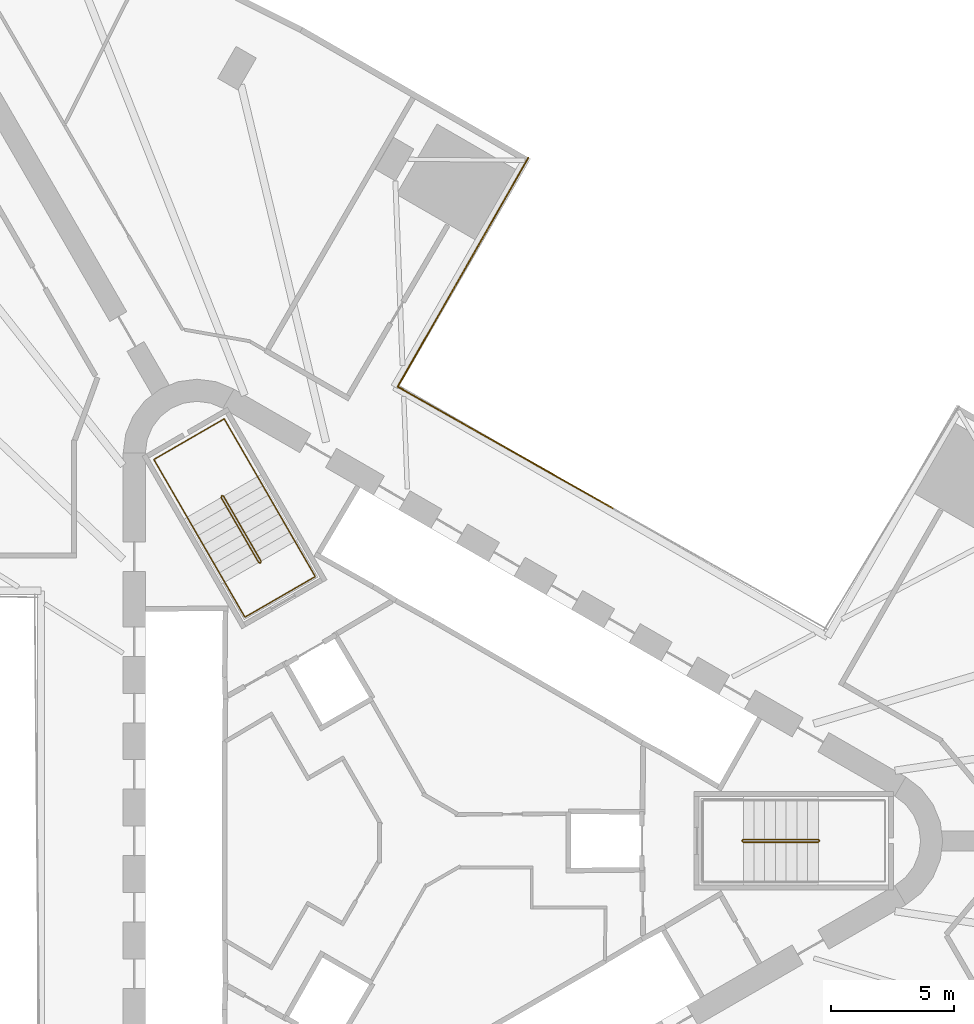
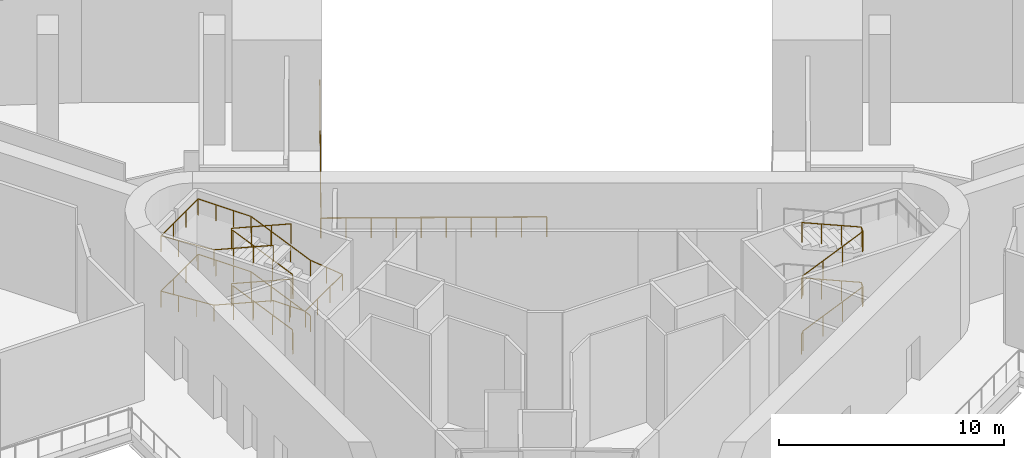
# One storey, part 10 of 11: 5 railings.
"""IFC4 building model written with IfcOpenShell, lengths in metres."""

from ifc_helpers import new_model, si_unit, direction, frame, origin, origin_2d, place, context, subcontext, project, spatial, circle, extrude, material, type_object, element, save


model = new_model("IFC4")

# Units and contexts
model_context = context("Model", 3, precision=1e-05, world=origin(), true_north=direction((0.0, 1.0)))
body_context = subcontext(model_context, "Body", "Model", "MODEL_VIEW")
ifc_project = project(units=[si_unit("LENGTHUNIT", "METRE"), si_unit("AREAUNIT", "SQUARE_METRE"), si_unit("VOLUMEUNIT", "CUBIC_METRE"), si_unit("PLANEANGLEUNIT", "RADIAN"), si_unit("MASSUNIT", "GRAM", prefix="KILO")], contexts=[model_context])

# Site, building, storey
site_placement = place(None, origin())
site = spatial("IfcSite", under=ifc_project, at=site_placement, CompositionType="ELEMENT")
building_placement = place(site_placement, origin())
building = spatial("IfcBuilding", under=site, at=building_placement, Name="Tanit Gate Tower", CompositionType="ELEMENT")
storey_placement = place(building_placement, frame((0.0, 0.0, 27.5)))
storey = spatial("IfcBuildingStorey", under=building, at=storey_placement, Name="L04", CompositionType="ELEMENT", Elevation=27.5)

# Railings
ifc_material_1 = material(Name="Stainless steel", Category="steel")
railing_type_1 = type_object("IfcRailingType", Name="Guard 1100 stainless steel balustrade", PredefinedType="GUARDRAIL", material=ifc_material_1)
railing_1_placement = place(storey_placement, frame((4.366943359375, 27.763916015625, 0.0)))
element("IfcRailing", 1, at=railing_1_placement, inside=storey, type_object=railing_type_1, Name="Tunnel edge guard L04 6", PredefinedType="GUARDRAIL", context=body_context, shape_type="SweptSolid", body=[
    extrude(circle(Radius=0.02392578125, at=origin_2d()), frame((0.0, 0.0, 1.076171875), z_axis=(-0.495702152138, -0.86849258855, 0.0), x_axis=(0.86849258855, -0.495702152138, 0.0)), (0.0, 0.0, 1.0), 10.716064453125),
    extrude(circle(Radius=0.02099609375, at=origin_2d()), origin(), (0.0, 0.0, 1.0), 1.052001953125),
    extrude(circle(Radius=0.02099609375, at=origin_2d()), frame((-0.59033203125, -1.0341796875, 0.0)), (0.0, 0.0, 1.0), 1.052001953125),
    extrude(circle(Radius=0.02099609375, at=origin_2d()), frame((-1.180419921875, -2.068115234375, 0.0)), (0.0, 0.0, 1.0), 1.052001953125),
    extrude(circle(Radius=0.02099609375, at=origin_2d()), frame((-1.770751953125, -3.102294921875, 0.0)), (0.0, 0.0, 1.0), 1.052001953125),
    extrude(circle(Radius=0.02099609375, at=origin_2d()), frame((-2.36083984375, -4.136474609375, 0.0)), (0.0, 0.0, 1.0), 1.052001953125),
    extrude(circle(Radius=0.02099609375, at=origin_2d()), frame((-2.951171875, -5.17041015625, 0.0)), (0.0, 0.0, 1.0), 1.052001953125),
    extrude(circle(Radius=0.02099609375, at=origin_2d()), frame((-3.541259765625, -6.20458984375, 0.0)), (0.0, 0.0, 1.0), 1.052001953125),
    extrude(circle(Radius=0.02099609375, at=origin_2d()), frame((-4.131591796875, -7.23876953125, 0.0)), (0.0, 0.0, 1.0), 1.052001953125),
    extrude(circle(Radius=0.02099609375, at=origin_2d()), frame((-4.7216796875, -8.272705078125, 0.0)), (0.0, 0.0, 1.0), 1.052001953125),
    extrude(circle(Radius=0.02099609375, at=origin_2d()), frame((-5.31201171875, -9.306884765625, 0.0)), (0.0, 0.0, 1.0), 1.052001953125),
])
railing_2_placement = place(storey_placement, frame((-0.945068359375, 18.45703125, 0.0)))
element("IfcRailing", 2, at=railing_2_placement, inside=storey, type_object=railing_type_1, Name="Tunnel edge guard L04 6", PredefinedType="GUARDRAIL", context=body_context, shape_type="SweptSolid", body=[
    extrude(circle(Radius=0.02392578125, at=origin_2d()), frame((0.0, 0.0, 1.076171875), z_axis=(0.870687554571, -0.491836540239, 0.0), x_axis=(0.491836540239, 0.870687554571, 0.0)), (0.0, 0.0, 1.0), 10.02392578125),
    extrude(circle(Radius=0.02099609375, at=origin_2d()), origin(), (0.0, 0.0, 1.0), 1.052001953125),
    extrude(circle(Radius=0.02099609375, at=origin_2d()), frame((0.9697265625, -0.5478515625, 0.0)), (0.0, 0.0, 1.0), 1.052001953125),
    extrude(circle(Radius=0.02099609375, at=origin_2d()), frame((1.939453125, -1.095703125, 0.0)), (0.0, 0.0, 1.0), 1.052001953125),
    extrude(circle(Radius=0.02099609375, at=origin_2d()), frame((2.9091796875, -1.643310546875, 0.0)), (0.0, 0.0, 1.0), 1.052001953125),
    extrude(circle(Radius=0.02099609375, at=origin_2d()), frame((3.87890625, -2.191162109375, 0.0)), (0.0, 0.0, 1.0), 1.052001953125),
    extrude(circle(Radius=0.02099609375, at=origin_2d()), frame((4.848876953125, -2.739013671875, 0.0)), (0.0, 0.0, 1.0), 1.052001953125),
    extrude(circle(Radius=0.02099609375, at=origin_2d()), frame((5.818603515625, -3.286865234375, 0.0)), (0.0, 0.0, 1.0), 1.052001953125),
    extrude(circle(Radius=0.02099609375, at=origin_2d()), frame((6.788330078125, -3.83447265625, 0.0)), (0.0, 0.0, 1.0), 1.052001953125),
    extrude(circle(Radius=0.02099609375, at=origin_2d()), frame((7.758056640625, -4.38232421875, 0.0)), (0.0, 0.0, 1.0), 1.052001953125),
    extrude(circle(Radius=0.02099609375, at=origin_2d()), frame((8.727783203125, -4.93017578125, 0.0)), (0.0, 0.0, 1.0), 1.052001953125),
])
ifc_material_2 = material(Name="Stainless steel balustrade", Category="steel")
railing_type_2 = type_object("IfcRailingType", Name="INT-STAIR-GUARD", PredefinedType="GUARDRAIL", material=ifc_material_2)
railing_3_placement = place(storey_placement, frame((13.044921875, 0.0048828125, 0.0)))
element("IfcRailing", 3, at=railing_3_placement, inside=storey, type_object=railing_type_2, Name="L04 S1 stair guard 1", PredefinedType="GUARDRAIL", context=body_context, shape_type="SweptSolid", body=[
    extrude(circle(Radius=0.02392578125, at=origin_2d()), frame((0.0, 0.0, 1.076171875), z_axis=(0.0, -1.0, 0.0), x_axis=(1.0, 0.0, 0.0)), (0.0, 0.0, 1.0), 0.009765625),
    extrude(circle(Radius=0.02392578125, at=origin_2d()), frame((0.0, -0.009765625, 1.076171875), z_axis=(0.249726431254, -0.249726431254, 0.935560483917), x_axis=(0.707106781187, 0.707106781187, 0.0)), (0.0, 0.0, 1.0), 0.200439453125),
    extrude(circle(Radius=0.02392578125, at=origin_2d()), frame((0.050048828125, -0.059814453125, 1.263671875), z_axis=(0.918608089886, 0.0, 0.395169808052), x_axis=(0.0, 1.0, 0.0)), (0.0, 0.0, 1.0), 3.3212890625),
    extrude(circle(Radius=0.02392578125, at=origin_2d()), frame((3.10107421875, -0.059814453125, 2.576171875), z_axis=(0.707106781187, 0.707106781187, 0.0), x_axis=(-0.707106781187, 0.707106781187, 0.0)), (0.0, 0.0, 1.0), 0.07080078125),
    extrude(circle(Radius=0.02392578125, at=origin_2d()), frame((3.151123046875, -0.009765625, 2.576171875), z_axis=(0.0, 1.0, 0.0), x_axis=(-1.0, 0.0, 0.0)), (0.0, 0.0, 1.0), 0.009765625),
    extrude(circle(Radius=0.02392578125, at=origin_2d()), frame((3.151123046875, 0.0, 2.576171875), z_axis=(-0.249726431254, 0.249726431254, 0.935560483917), x_axis=(-0.707106781187, -0.707106781187, 0.0)), (0.0, 0.0, 1.0), 0.200439453125),
    extrude(circle(Radius=0.02392578125, at=origin_2d()), frame((3.10107421875, 0.050048828125, 2.763671875), z_axis=(-0.918608089886, 0.0, 0.395169808052), x_axis=(0.0, -1.0, 0.0)), (0.0, 0.0, 1.0), 3.3212890625),
    extrude(circle(Radius=0.02392578125, at=origin_2d()), frame((0.050048828125, 0.050048828125, 4.076171875), z_axis=(-0.707106781187, -0.707106781187, 0.0), x_axis=(0.707106781187, -0.707106781187, 0.0)), (0.0, 0.0, 1.0), 0.07080078125),
    extrude(circle(Radius=0.02392578125, at=origin_2d()), frame((0.0, 0.0, 4.076171875), z_axis=(0.0, -1.0, 0.0), x_axis=(1.0, 0.0, 0.0)), (0.0, 0.0, 1.0), 0.009765625),
    extrude(circle(Radius=0.02392578125, at=origin_2d()), frame((0.0, -0.009765625, 4.076171875), z_axis=(0.249726431254, -0.249726431254, 0.935560483917), x_axis=(0.707106781187, 0.707106781187, 0.0)), (0.0, 0.0, 1.0), 0.200439453125),
    extrude(circle(Radius=0.02392578125, at=origin_2d()), frame((0.050048828125, -0.059814453125, 4.263671875), z_axis=(0.918608089886, 0.0, 0.395169808052), x_axis=(0.0, 1.0, 0.0)), (0.0, 0.0, 1.0), 3.3212890625),
    extrude(circle(Radius=0.02392578125, at=origin_2d()), frame((3.10107421875, -0.059814453125, 5.576171875), z_axis=(0.707106781187, 0.707106781187, 0.0), x_axis=(-0.707106781187, 0.707106781187, 0.0)), (0.0, 0.0, 1.0), 0.07080078125),
    extrude(circle(Radius=0.02392578125, at=origin_2d()), frame((3.151123046875, -0.009765625, 5.576171875), z_axis=(0.0, 1.0, 0.0), x_axis=(-1.0, 0.0, 0.0)), (0.0, 0.0, 1.0), 0.009765625),
    extrude(circle(Radius=0.02392578125, at=origin_2d()), frame((3.151123046875, 0.0, 5.576171875), z_axis=(-0.249726431254, 0.249726431254, 0.935560483917), x_axis=(-0.707106781187, -0.707106781187, 0.0)), (0.0, 0.0, 1.0), 0.200439453125),
    extrude(circle(Radius=0.02392578125, at=origin_2d()), frame((3.10107421875, 0.050048828125, 5.763671875), z_axis=(-0.918608089886, 0.0, 0.395169808052), x_axis=(0.0, -1.0, 0.0)), (0.0, 0.0, 1.0), 3.3212890625),
    extrude(circle(Radius=0.02099609375, at=origin_2d()), origin(), (0.0, 0.0, 1.0), 1.052001953125),
    extrude(circle(Radius=0.02099609375, at=origin_2d()), frame((0.0, -0.009765625, 0.0)), (0.0, 0.0, 1.0), 1.052001953125),
    extrude(circle(Radius=0.02099609375, at=origin_2d()), frame((0.050048828125, -0.059814453125, 0.1875)), (0.0, 0.0, 1.0), 1.052001953125),
    extrude(circle(Radius=0.02099609375, at=origin_2d()), frame((1.067138671875, -0.059814453125, 0.625)), (0.0, 0.0, 1.0), 1.052001953125),
    extrude(circle(Radius=0.02099609375, at=origin_2d()), frame((2.083984375, -0.059814453125, 1.0625)), (0.0, 0.0, 1.0), 1.052001953125),
    extrude(circle(Radius=0.02099609375, at=origin_2d()), frame((3.10107421875, -0.059814453125, 1.5)), (0.0, 0.0, 1.0), 1.052001953125),
    extrude(circle(Radius=0.02099609375, at=origin_2d()), frame((3.151123046875, -0.009765625, 1.5)), (0.0, 0.0, 1.0), 1.052001953125),
    extrude(circle(Radius=0.02099609375, at=origin_2d()), frame((3.151123046875, 0.0, 1.5)), (0.0, 0.0, 1.0), 1.052001953125),
    extrude(circle(Radius=0.02099609375, at=origin_2d()), frame((3.10107421875, 0.050048828125, 1.6875)), (0.0, 0.0, 1.0), 1.052001953125),
    extrude(circle(Radius=0.02099609375, at=origin_2d()), frame((2.083984375, 0.050048828125, 2.125)), (0.0, 0.0, 1.0), 1.052001953125),
    extrude(circle(Radius=0.02099609375, at=origin_2d()), frame((1.067138671875, 0.050048828125, 2.5625)), (0.0, 0.0, 1.0), 1.052001953125),
    extrude(circle(Radius=0.02099609375, at=origin_2d()), frame((0.050048828125, 0.050048828125, 3.0)), (0.0, 0.0, 1.0), 1.052001953125),
    extrude(circle(Radius=0.02099609375, at=origin_2d()), frame((0.0, 0.0, 3.0)), (0.0, 0.0, 1.0), 1.052001953125),
    extrude(circle(Radius=0.02099609375, at=origin_2d()), frame((0.0, -0.009765625, 3.0)), (0.0, 0.0, 1.0), 1.052001953125),
    extrude(circle(Radius=0.02099609375, at=origin_2d()), frame((0.050048828125, -0.059814453125, 3.1875)), (0.0, 0.0, 1.0), 1.052001953125),
    extrude(circle(Radius=0.02099609375, at=origin_2d()), frame((1.067138671875, -0.059814453125, 3.625)), (0.0, 0.0, 1.0), 1.052001953125),
    extrude(circle(Radius=0.02099609375, at=origin_2d()), frame((2.083984375, -0.059814453125, 4.0625)), (0.0, 0.0, 1.0), 1.052001953125),
    extrude(circle(Radius=0.02099609375, at=origin_2d()), frame((3.10107421875, -0.059814453125, 4.5)), (0.0, 0.0, 1.0), 1.052001953125),
    extrude(circle(Radius=0.02099609375, at=origin_2d()), frame((3.151123046875, -0.009765625, 4.5)), (0.0, 0.0, 1.0), 1.052001953125),
    extrude(circle(Radius=0.02099609375, at=origin_2d()), frame((3.151123046875, 0.0, 4.5)), (0.0, 0.0, 1.0), 1.052001953125),
    extrude(circle(Radius=0.02099609375, at=origin_2d()), frame((3.10107421875, 0.050048828125, 4.6875)), (0.0, 0.0, 1.0), 1.052001953125),
    extrude(circle(Radius=0.02099609375, at=origin_2d()), frame((2.083984375, 0.050048828125, 5.125)), (0.0, 0.0, 1.0), 1.052001953125),
    extrude(circle(Radius=0.02099609375, at=origin_2d()), frame((1.067138671875, 0.050048828125, 5.5625)), (0.0, 0.0, 1.0), 1.052001953125),
    extrude(circle(Radius=0.02099609375, at=origin_2d()), frame((0.050048828125, 0.050048828125, 6.0)), (0.0, 0.0, 1.0), 1.052001953125),
])
railing_4_placement = place(storey_placement, frame((-6.527099609375, 11.29345703125, 0.0)))
element("IfcRailing", 4, at=railing_4_placement, inside=storey, type_object=railing_type_2, Name="L04 S2 stair guard 1", PredefinedType="GUARDRAIL", context=body_context, shape_type="SweptSolid", body=[
    extrude(circle(Radius=0.02392578125, at=origin_2d()), frame((0.0, 0.0, 1.076171875), z_axis=(0.868243142124, 0.496138938357, 0.0), x_axis=(-0.496138938357, 0.868243142124, 0.0)), (0.0, 0.0, 1.0), 0.01171875),
    extrude(circle(Radius=0.02392578125, at=origin_2d()), frame((0.01025390625, 0.005859375, 1.076171875), z_axis=(0.091365023295, 0.341096086969, 0.935577838543), x_axis=(-0.965948051503, 0.258736085224, 0.0)), (0.0, 0.0, 1.0), 0.200439453125),
    extrude(circle(Radius=0.02392578125, at=origin_2d()), frame((0.028564453125, 0.07421875, 1.263671875), z_axis=(-0.459281500864, 0.79545055458, 0.395371873282), x_axis=(-0.866012246495, -0.500022788402, 0.0)), (0.0, 0.0, 1.0), 3.319580078125),
    extrude(circle(Radius=0.02392578125, at=origin_2d()), frame((-1.49609375, 2.71484375, 2.576171875), z_axis=(-0.965715946433, 0.259601060869, 0.0), x_axis=(-0.259601060869, -0.965715946433, 0.0)), (0.0, 0.0, 1.0), 0.070556640625),
    extrude(circle(Radius=0.02392578125, at=origin_2d()), frame((-1.564208984375, 2.733154296875, 2.576171875), z_axis=(-0.873197702015, -0.487366159264, 0.0), x_axis=(0.487366159264, -0.873197702015, 0.0)), (0.0, 0.0, 1.0), 0.011962890625),
    extrude(circle(Radius=0.02392578125, at=origin_2d()), frame((-1.57470703125, 2.727294921875, 2.576171875), z_axis=(-0.091365023295, -0.341096086969, 0.935577838543), x_axis=(0.965948051503, -0.258736085224, 0.0)), (0.0, 0.0, 1.0), 0.200439453125),
    extrude(circle(Radius=0.02392578125, at=origin_2d()), frame((-1.593017578125, 2.658935546875, 2.763671875), z_axis=(0.459281500864, -0.79545055458, 0.395371873282), x_axis=(0.866012246495, 0.500022788402, 0.0)), (0.0, 0.0, 1.0), 3.319580078125),
    extrude(circle(Radius=0.02392578125, at=origin_2d()), frame((-0.068359375, 0.018310546875, 4.076171875), z_axis=(0.965948051503, -0.258736085224, 0.0), x_axis=(0.258736085224, 0.965948051503, 0.0)), (0.0, 0.0, 1.0), 0.07080078125),
    extrude(circle(Radius=0.02392578125, at=origin_2d()), frame((0.0, 0.0, 4.076171875), z_axis=(0.868243142124, 0.496138938357, 0.0), x_axis=(-0.496138938357, 0.868243142124, 0.0)), (0.0, 0.0, 1.0), 0.01171875),
    extrude(circle(Radius=0.02392578125, at=origin_2d()), frame((0.01025390625, 0.005859375, 4.076171875), z_axis=(0.091365023295, 0.341096086969, 0.935577838543), x_axis=(-0.965948051503, 0.258736085224, 0.0)), (0.0, 0.0, 1.0), 0.200439453125),
    extrude(circle(Radius=0.02392578125, at=origin_2d()), frame((0.028564453125, 0.07421875, 4.263671875), z_axis=(-0.459281500864, 0.79545055458, 0.395371873282), x_axis=(-0.866012246495, -0.500022788402, 0.0)), (0.0, 0.0, 1.0), 3.319580078125),
    extrude(circle(Radius=0.02392578125, at=origin_2d()), frame((-1.49609375, 2.71484375, 5.576171875), z_axis=(-0.965715946433, 0.259601060869, 0.0), x_axis=(-0.259601060869, -0.965715946433, 0.0)), (0.0, 0.0, 1.0), 0.070556640625),
    extrude(circle(Radius=0.02392578125, at=origin_2d()), frame((-1.564208984375, 2.733154296875, 5.576171875), z_axis=(-0.873197702015, -0.487366159264, 0.0), x_axis=(0.487366159264, -0.873197702015, 0.0)), (0.0, 0.0, 1.0), 0.011962890625),
    extrude(circle(Radius=0.02392578125, at=origin_2d()), frame((-1.57470703125, 2.727294921875, 5.576171875), z_axis=(-0.091365023295, -0.341096086969, 0.935577838543), x_axis=(0.965948051503, -0.258736085224, 0.0)), (0.0, 0.0, 1.0), 0.200439453125),
    extrude(circle(Radius=0.02392578125, at=origin_2d()), frame((-1.593017578125, 2.658935546875, 5.763671875), z_axis=(0.459281500864, -0.79545055458, 0.395371873282), x_axis=(0.866012246495, 0.500022788402, 0.0)), (0.0, 0.0, 1.0), 3.319580078125),
    extrude(circle(Radius=0.02099609375, at=origin_2d()), origin(), (0.0, 0.0, 1.0), 1.052001953125),
    extrude(circle(Radius=0.02099609375, at=origin_2d()), frame((0.01025390625, 0.005859375, 0.0)), (0.0, 0.0, 1.0), 1.052001953125),
    extrude(circle(Radius=0.02099609375, at=origin_2d()), frame((0.028564453125, 0.07421875, 0.1875)), (0.0, 0.0, 1.0), 1.052001953125),
    extrude(circle(Radius=0.02099609375, at=origin_2d()), frame((-0.479736328125, 0.954345703125, 0.625)), (0.0, 0.0, 1.0), 1.052001953125),
    extrude(circle(Radius=0.02099609375, at=origin_2d()), frame((-0.98779296875, 1.834716796875, 1.0625)), (0.0, 0.0, 1.0), 1.052001953125),
    extrude(circle(Radius=0.02099609375, at=origin_2d()), frame((-1.49609375, 2.71484375, 1.5)), (0.0, 0.0, 1.0), 1.052001953125),
    extrude(circle(Radius=0.02099609375, at=origin_2d()), frame((-1.564208984375, 2.733154296875, 1.5)), (0.0, 0.0, 1.0), 1.052001953125),
    extrude(circle(Radius=0.02099609375, at=origin_2d()), frame((-1.57470703125, 2.727294921875, 1.5)), (0.0, 0.0, 1.0), 1.052001953125),
    extrude(circle(Radius=0.02099609375, at=origin_2d()), frame((-1.593017578125, 2.658935546875, 1.6875)), (0.0, 0.0, 1.0), 1.052001953125),
    extrude(circle(Radius=0.02099609375, at=origin_2d()), frame((-1.084716796875, 1.77880859375, 2.125)), (0.0, 0.0, 1.0), 1.052001953125),
    extrude(circle(Radius=0.02099609375, at=origin_2d()), frame((-0.57666015625, 0.8984375, 2.5625)), (0.0, 0.0, 1.0), 1.052001953125),
    extrude(circle(Radius=0.02099609375, at=origin_2d()), frame((-0.068359375, 0.018310546875, 3.0)), (0.0, 0.0, 1.0), 1.052001953125),
    extrude(circle(Radius=0.02099609375, at=origin_2d()), frame((0.0, 0.0, 3.0)), (0.0, 0.0, 1.0), 1.052001953125),
    extrude(circle(Radius=0.02099609375, at=origin_2d()), frame((0.01025390625, 0.005859375, 3.0)), (0.0, 0.0, 1.0), 1.052001953125),
    extrude(circle(Radius=0.02099609375, at=origin_2d()), frame((0.028564453125, 0.07421875, 3.1875)), (0.0, 0.0, 1.0), 1.052001953125),
    extrude(circle(Radius=0.02099609375, at=origin_2d()), frame((-0.479736328125, 0.954345703125, 3.625)), (0.0, 0.0, 1.0), 1.052001953125),
    extrude(circle(Radius=0.02099609375, at=origin_2d()), frame((-0.98779296875, 1.834716796875, 4.0625)), (0.0, 0.0, 1.0), 1.052001953125),
    extrude(circle(Radius=0.02099609375, at=origin_2d()), frame((-1.49609375, 2.71484375, 4.5)), (0.0, 0.0, 1.0), 1.052001953125),
    extrude(circle(Radius=0.02099609375, at=origin_2d()), frame((-1.564208984375, 2.733154296875, 4.5)), (0.0, 0.0, 1.0), 1.052001953125),
    extrude(circle(Radius=0.02099609375, at=origin_2d()), frame((-1.57470703125, 2.727294921875, 4.5)), (0.0, 0.0, 1.0), 1.052001953125),
    extrude(circle(Radius=0.02099609375, at=origin_2d()), frame((-1.593017578125, 2.658935546875, 4.6875)), (0.0, 0.0, 1.0), 1.052001953125),
    extrude(circle(Radius=0.02099609375, at=origin_2d()), frame((-1.084716796875, 1.77880859375, 5.125)), (0.0, 0.0, 1.0), 1.052001953125),
    extrude(circle(Radius=0.02099609375, at=origin_2d()), frame((-0.57666015625, 0.8984375, 5.5625)), (0.0, 0.0, 1.0), 1.052001953125),
    extrude(circle(Radius=0.02099609375, at=origin_2d()), frame((-0.068359375, 0.018310546875, 6.0)), (0.0, 0.0, 1.0), 1.052001953125),
])
ifc_material_3 = material(Name="Stainless steel handrail", Category="steel")
railing_type_3 = type_object("IfcRailingType", Name="INT-STAIR-HANDRAIL", PredefinedType="HANDRAIL", material=ifc_material_3)
railing_5_placement = place(storey_placement, frame((-5.1181640625, 12.164794921875, 0.1875)))
element("IfcRailing", 5, at=railing_5_placement, inside=storey, type_object=railing_type_3, Name="L04 S2 stair handrail 1", PredefinedType="HANDRAIL", context=body_context, shape_type="SweptSolid", body=[
    extrude(circle(Radius=0.02392578125, at=origin_2d()), frame((0.0, 0.0, 0.8759765625), z_axis=(-0.459223467357, 0.795477421995, 0.3953852275), x_axis=(-0.866046917185, -0.499962735845, 0.0)), (0.0, 0.0, 1.0), 3.319580078125),
    extrude(circle(Radius=0.02392578125, at=origin_2d()), frame((-1.5244140625, 2.640625, 2.1884765625), z_axis=(-0.500019123664, 0.86601436245, 0.0), x_axis=(-0.86601436245, -0.500019123664, 0.0)), (0.0, 0.0, 1.0), 2.70703125),
    extrude(circle(Radius=0.02392578125, at=origin_2d()), frame((-2.8779296875, 4.98486328125, 2.1884765625), z_axis=(-0.866008176907, -0.50002983664, 0.0), x_axis=(0.50002983664, -0.866008176907, 0.0)), (0.0, 0.0, 1.0), 3.300048828125),
    extrude(circle(Radius=0.02392578125, at=origin_2d()), frame((-5.73583984375, 3.334716796875, 2.1884765625), z_axis=(0.498862685348, -0.863921472227, 0.069106519182), x_axis=(0.865991810323, 0.500058181068, 0.0)), (0.0, 0.0, 1.0), 2.713134765625),
    extrude(circle(Radius=0.02392578125, at=origin_2d()), frame((-4.38232421875, 0.99072265625, 2.3759765625), z_axis=(0.459254633775, -0.795477561817, 0.395348744784), x_axis=(0.866032263162, 0.499988119021, 0.0)), (0.0, 0.0, 1.0), 3.31982421875),
    extrude(circle(Radius=0.02392578125, at=origin_2d()), frame((-2.857666015625, -1.650146484375, 3.6884765625), z_axis=(0.499941024108, -0.866059450854, 0.0), x_axis=(0.866059450854, 0.499941024108, 0.0)), (0.0, 0.0, 1.0), 1.643798828125),
    extrude(circle(Radius=0.02392578125, at=origin_2d()), frame((-2.035888671875, -3.07373046875, 3.6884765625), z_axis=(0.866040211805, 0.499974350878, 0.0), x_axis=(-0.499974350878, 0.866040211805, 0.0)), (0.0, 0.0, 1.0), 3.300048828125),
    extrude(circle(Radius=0.02392578125, at=origin_2d()), frame((0.822021484375, -1.423828125, 3.6884765625), z_axis=(-0.496767975462, 0.860454657824, 0.113310901442), x_axis=(-0.866032269107, -0.499988108725, 0.0)), (0.0, 0.0, 1.0), 1.65478515625),
    extrude(circle(Radius=0.02392578125, at=origin_2d()), frame((0.0, 0.0, 3.8759765625), z_axis=(-0.459223467357, 0.795477421995, 0.3953852275), x_axis=(-0.866046917185, -0.499962735845, 0.0)), (0.0, 0.0, 1.0), 3.319580078125),
    extrude(circle(Radius=0.02392578125, at=origin_2d()), frame((-1.5244140625, 2.640625, 5.1884765625), z_axis=(-0.500019123664, 0.86601436245, 0.0), x_axis=(-0.86601436245, -0.500019123664, 0.0)), (0.0, 0.0, 1.0), 2.70703125),
    extrude(circle(Radius=0.02392578125, at=origin_2d()), frame((-2.8779296875, 4.98486328125, 5.1884765625), z_axis=(-0.866008176907, -0.50002983664, 0.0), x_axis=(0.50002983664, -0.866008176907, 0.0)), (0.0, 0.0, 1.0), 3.300048828125),
    extrude(circle(Radius=0.02392578125, at=origin_2d()), frame((-5.73583984375, 3.334716796875, 5.1884765625), z_axis=(0.498862685348, -0.863921472227, 0.069106519182), x_axis=(0.865991810323, 0.500058181068, 0.0)), (0.0, 0.0, 1.0), 2.713134765625),
    extrude(circle(Radius=0.02392578125, at=origin_2d()), frame((-4.38232421875, 0.99072265625, 5.3759765625), z_axis=(0.459254633775, -0.795477561817, 0.395348744784), x_axis=(0.866032263162, 0.499988119021, 0.0)), (0.0, 0.0, 1.0), 3.31982421875),
    extrude(circle(Radius=0.02099609375, at=origin_2d()), origin(), (0.0, 0.0, 1.0), 0.851806640625),
    extrude(circle(Radius=0.02099609375, at=origin_2d()), frame((-0.508056640625, 0.880126953125, 0.4375)), (0.0, 0.0, 1.0), 0.851806640625),
    extrude(circle(Radius=0.02099609375, at=origin_2d()), frame((-1.016357421875, 1.760498046875, 0.875)), (0.0, 0.0, 1.0), 0.851806640625),
    extrude(circle(Radius=0.02099609375, at=origin_2d()), frame((-1.5244140625, 2.640625, 1.3125)), (0.0, 0.0, 1.0), 0.851806640625),
    extrude(circle(Radius=0.02099609375, at=origin_2d()), frame((-1.9755859375, 3.422119140625, 1.3125)), (0.0, 0.0, 1.0), 0.851806640625),
    extrude(circle(Radius=0.02099609375, at=origin_2d()), frame((-2.4267578125, 4.203369140625, 1.3125)), (0.0, 0.0, 1.0), 0.851806640625),
    extrude(circle(Radius=0.02099609375, at=origin_2d()), frame((-2.8779296875, 4.98486328125, 1.3125)), (0.0, 0.0, 1.0), 0.851806640625),
    extrude(circle(Radius=0.02099609375, at=origin_2d()), frame((-3.83056640625, 4.434814453125, 1.3125)), (0.0, 0.0, 1.0), 0.851806640625),
    extrude(circle(Radius=0.02099609375, at=origin_2d()), frame((-4.783203125, 3.884765625, 1.3125)), (0.0, 0.0, 1.0), 0.851806640625),
    extrude(circle(Radius=0.02099609375, at=origin_2d()), frame((-5.73583984375, 3.334716796875, 1.3125)), (0.0, 0.0, 1.0), 0.851806640625),
    extrude(circle(Radius=0.02099609375, at=origin_2d()), frame((-5.28466796875, 2.553466796875, 1.375)), (0.0, 0.0, 1.0), 0.851806640625),
    extrude(circle(Radius=0.02099609375, at=origin_2d()), frame((-4.83349609375, 1.77197265625, 1.4375)), (0.0, 0.0, 1.0), 0.851806640625),
    extrude(circle(Radius=0.02099609375, at=origin_2d()), frame((-4.38232421875, 0.99072265625, 1.5)), (0.0, 0.0, 1.0), 0.851806640625),
    extrude(circle(Radius=0.02099609375, at=origin_2d()), frame((-3.8740234375, 0.1103515625, 1.9375)), (0.0, 0.0, 1.0), 0.851806640625),
    extrude(circle(Radius=0.02099609375, at=origin_2d()), frame((-3.365966796875, -0.769775390625, 2.375)), (0.0, 0.0, 1.0), 0.851806640625),
    extrude(circle(Radius=0.02099609375, at=origin_2d()), frame((-2.857666015625, -1.650146484375, 2.8125)), (0.0, 0.0, 1.0), 0.851806640625),
    extrude(circle(Radius=0.02099609375, at=origin_2d()), frame((-2.44677734375, -2.36181640625, 2.8125)), (0.0, 0.0, 1.0), 0.851806640625),
    extrude(circle(Radius=0.02099609375, at=origin_2d()), frame((-2.035888671875, -3.07373046875, 2.8125)), (0.0, 0.0, 1.0), 0.851806640625),
    extrude(circle(Radius=0.02099609375, at=origin_2d()), frame((-1.083251953125, -2.523681640625, 2.8125)), (0.0, 0.0, 1.0), 0.851806640625),
    extrude(circle(Radius=0.02099609375, at=origin_2d()), frame((-0.130615234375, -1.973876953125, 2.8125)), (0.0, 0.0, 1.0), 0.851806640625),
    extrude(circle(Radius=0.02099609375, at=origin_2d()), frame((0.822021484375, -1.423828125, 2.8125)), (0.0, 0.0, 1.0), 0.851806640625),
    extrude(circle(Radius=0.02099609375, at=origin_2d()), frame((0.4111328125, -0.7119140625, 2.90625)), (0.0, 0.0, 1.0), 0.851806640625),
    extrude(circle(Radius=0.02099609375, at=origin_2d()), frame((0.0, 0.0, 3.0)), (0.0, 0.0, 1.0), 0.851806640625),
    extrude(circle(Radius=0.02099609375, at=origin_2d()), frame((-0.508056640625, 0.880126953125, 3.4375)), (0.0, 0.0, 1.0), 0.851806640625),
    extrude(circle(Radius=0.02099609375, at=origin_2d()), frame((-1.016357421875, 1.760498046875, 3.875)), (0.0, 0.0, 1.0), 0.851806640625),
    extrude(circle(Radius=0.02099609375, at=origin_2d()), frame((-1.5244140625, 2.640625, 4.3125)), (0.0, 0.0, 1.0), 0.851806640625),
    extrude(circle(Radius=0.02099609375, at=origin_2d()), frame((-1.9755859375, 3.422119140625, 4.3125)), (0.0, 0.0, 1.0), 0.851806640625),
    extrude(circle(Radius=0.02099609375, at=origin_2d()), frame((-2.4267578125, 4.203369140625, 4.3125)), (0.0, 0.0, 1.0), 0.851806640625),
    extrude(circle(Radius=0.02099609375, at=origin_2d()), frame((-2.8779296875, 4.98486328125, 4.3125)), (0.0, 0.0, 1.0), 0.851806640625),
    extrude(circle(Radius=0.02099609375, at=origin_2d()), frame((-3.83056640625, 4.434814453125, 4.3125)), (0.0, 0.0, 1.0), 0.851806640625),
    extrude(circle(Radius=0.02099609375, at=origin_2d()), frame((-4.783203125, 3.884765625, 4.3125)), (0.0, 0.0, 1.0), 0.851806640625),
    extrude(circle(Radius=0.02099609375, at=origin_2d()), frame((-5.73583984375, 3.334716796875, 4.3125)), (0.0, 0.0, 1.0), 0.851806640625),
    extrude(circle(Radius=0.02099609375, at=origin_2d()), frame((-5.28466796875, 2.553466796875, 4.375)), (0.0, 0.0, 1.0), 0.851806640625),
    extrude(circle(Radius=0.02099609375, at=origin_2d()), frame((-4.83349609375, 1.77197265625, 4.4375)), (0.0, 0.0, 1.0), 0.851806640625),
    extrude(circle(Radius=0.02099609375, at=origin_2d()), frame((-4.38232421875, 0.99072265625, 4.5)), (0.0, 0.0, 1.0), 0.851806640625),
    extrude(circle(Radius=0.02099609375, at=origin_2d()), frame((-3.8740234375, 0.1103515625, 4.9375)), (0.0, 0.0, 1.0), 0.851806640625),
    extrude(circle(Radius=0.02099609375, at=origin_2d()), frame((-3.365966796875, -0.769775390625, 5.375)), (0.0, 0.0, 1.0), 0.851806640625),
    extrude(circle(Radius=0.02099609375, at=origin_2d()), frame((-2.857666015625, -1.650146484375, 5.8125)), (0.0, 0.0, 1.0), 0.851806640625),
])

save(model, "model.ifc")
